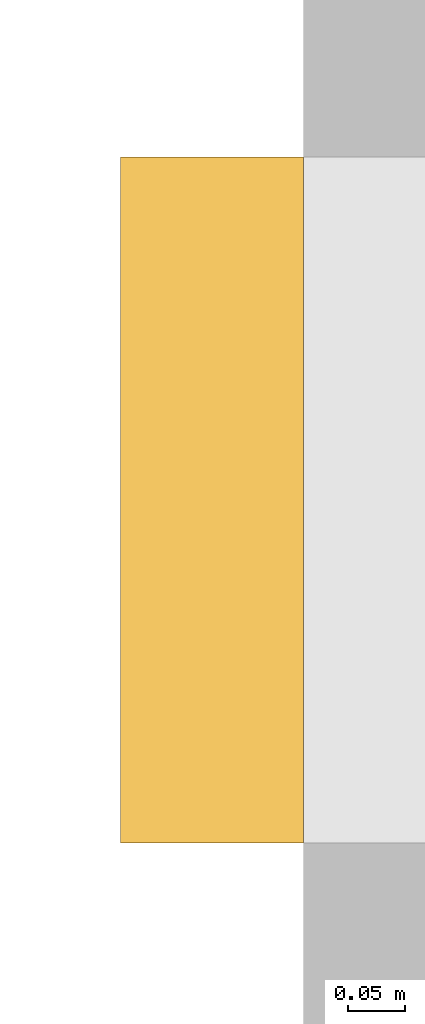
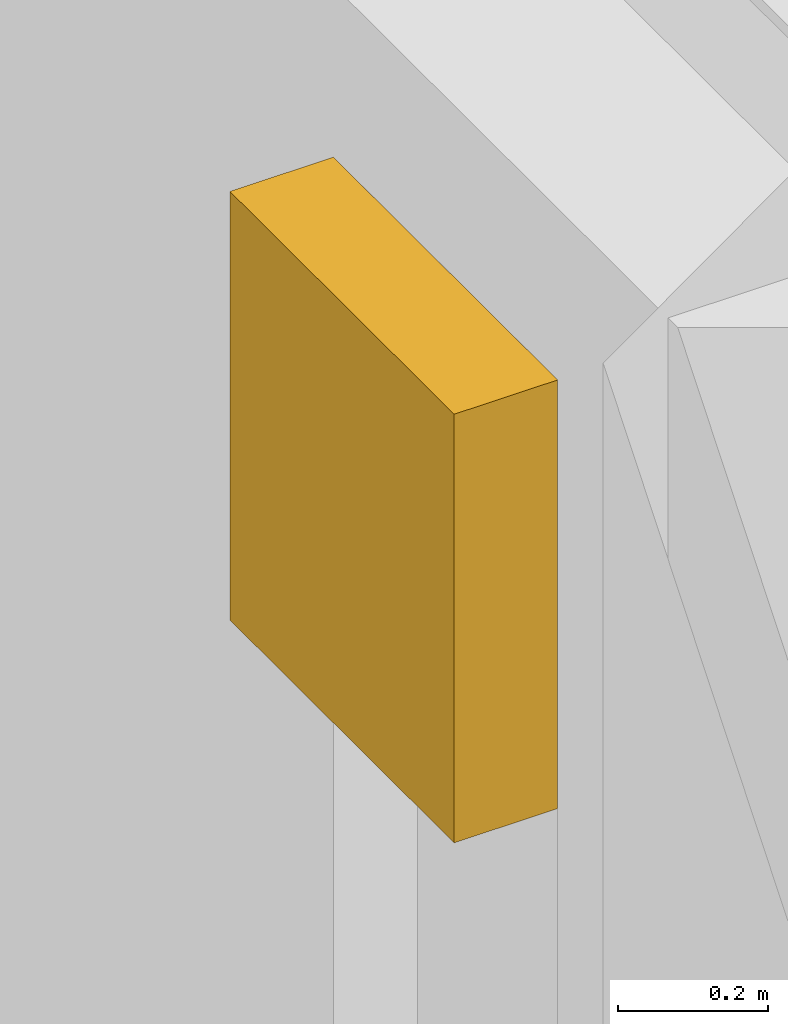
# One storey, part 12 of 12: 1 shading device.
"""IFC4 building model written with IfcOpenShell, lengths in metres."""

import ifcopenshell
import ifcopenshell.guid

model = None  # the IFC model being written
_history = None  # IfcOwnerHistory: only IFC2X3 demands one
_inside = {}  # id of a spatial element -> (the spatial element, [elements in it])
_under = {}  # id of a project, library or spatial element -> (it, [spatial elements below it])
_declared = {}  # id of a project -> (the project, [libraries it declares])
_typed = {}  # id of a type object -> (the type object, [elements of that type])
_made_of = {}  # id of a material, layer set ... -> (it, [elements and type objects made of it])


def new_model(schema):
    """Start an empty IFC model of exactly this schema.

    Asked for "IFC4X3", IfcOpenShell would pick the latest addendum, in which some entities
    have other attributes; the version numbers below select the first issue.
    IFC2X3 requires an IfcOwnerHistory on every rooted entity: one is made here for all.
    """
    global model, _history
    if schema == "IFC4X3":
        model = ifcopenshell.file(schema_version=(4, 3, 0, 0))
    else:
        model = ifcopenshell.file(schema=schema)
    _inside.clear()
    _under.clear()
    _declared.clear()
    _typed.clear()
    _made_of.clear()
    _history = None
    if model.schema == "IFC2X3":
        org = make("IfcOrganization", Name="unknown")
        user = make(
            "IfcPersonAndOrganization",
            ThePerson=make("IfcPerson", FamilyName="unknown"),
            TheOrganization=org,
        )
        app = make(
            "IfcApplication",
            ApplicationDeveloper=org,
            Version="unknown",
            ApplicationFullName="unknown",
            ApplicationIdentifier="unknown",
        )
        _history = make(
            "IfcOwnerHistory",
            OwningUser=user,
            OwningApplication=app,
            ChangeAction="ADDED",
            CreationDate=0,
        )
    return model


def make(cls, **values):
    """One entity of the class cls with the attributes given. An attribute that is None is left unset."""
    return model.create_entity(
        cls, **{name: value for name, value in values.items() if value is not None}
    )


def rooted(cls, **values):
    """An entity with a GlobalId (a new one), such as an element, a storey or a relation."""
    return make(cls, GlobalId=ifcopenshell.guid.new(), OwnerHistory=_history, **values)


def si_unit(unit_type, name, prefix=None):
    """IfcSIUnit, for example si_unit("LENGTHUNIT", "METRE", prefix="MILLI")."""
    return make("IfcSIUnit", UnitType=unit_type, Prefix=prefix, Name=name)


def assignment(units):
    """IfcUnitAssignment: the units of a project."""
    return None if units is None else make("IfcUnitAssignment", Units=units)


def point(xyz):
    """IfcCartesianPoint."""
    return None if xyz is None else make("IfcCartesianPoint", Coordinates=xyz)


def direction(xyz):
    """IfcDirection."""
    return None if xyz is None else make("IfcDirection", DirectionRatios=xyz)


def frame(location, z_axis=None, x_axis=None):
    """IfcAxis2Placement3D, a coordinate frame: its origin and axes. An axis left out is left unset."""
    return make(
        "IfcAxis2Placement3D",
        Location=point(location),
        Axis=direction(z_axis),
        RefDirection=direction(x_axis),
    )


def frame_2d(location, x_axis=None):
    """IfcAxis2Placement2D, a coordinate frame in the plane: its origin and x axis."""
    return make(
        "IfcAxis2Placement2D", Location=point(location), RefDirection=direction(x_axis)
    )


def origin():
    """The frame at (0, 0, 0) with its axes left unset."""
    return frame((0.0, 0.0, 0.0))


def origin_2d():
    """The frame at (0, 0) in the plane with its x axis left unset."""
    return frame_2d((0.0, 0.0))


def place(relative_to, where):
    """IfcLocalPlacement: puts the frame where relative to a parent placement (None: the world)."""
    return make(
        "IfcLocalPlacement", PlacementRelTo=relative_to, RelativePlacement=where
    )


def context(
    kind, dimensions, precision=None, world=None, true_north=None, identifier=None
):
    """IfcGeometricRepresentationContext, for example the 3D "Model" context."""
    return make(
        "IfcGeometricRepresentationContext",
        ContextIdentifier=identifier,
        ContextType=kind,
        CoordinateSpaceDimension=dimensions,
        Precision=precision,
        WorldCoordinateSystem=world,
        TrueNorth=true_north,
    )


def subcontext(parent, identifier, kind, view, scale=None):
    """IfcGeometricRepresentationSubContext, for example "Body" below "Model"."""
    return make(
        "IfcGeometricRepresentationSubContext",
        ContextIdentifier=identifier,
        ContextType=kind,
        ParentContext=parent,
        TargetScale=scale,
        TargetView=view,
    )


def project(units=None, contexts=None):
    """IfcProject with its units and contexts."""
    return rooted(
        "IfcProject",
        Name="project",
        RepresentationContexts=contexts,
        UnitsInContext=assignment(units),
    )


def spatial(cls, under=None, at=None, **own):
    """A site, building, storey or space (cls), placed at a placement, below another one or the project."""
    s = rooted(cls, ObjectPlacement=at, **own)
    if under is not None:
        _under.setdefault(under.id(), (under, []))[1].append(s)
    return s


def profile(cls, at=None, kind="AREA", **sizes):
    """A parametric profile (cls). Its sizes go by their IFC names, for example OverallWidth=200.0."""
    return make(cls, ProfileType=kind, Position=at, **sizes)


def rectangle(**sizes):
    """IfcRectangleProfileDef."""
    return profile("IfcRectangleProfileDef", **sizes)


def extrude(swept, where, along, depth):
    """IfcExtrudedAreaSolid: the profile swept, set in the frame where, extruded along a direction by depth."""
    return make(
        "IfcExtrudedAreaSolid",
        SweptArea=swept,
        Position=where,
        ExtrudedDirection=direction(along),
        Depth=depth,
    )


def shape(context_of_items, identifier, shape_type, items):
    """IfcShapeRepresentation: the items that make up one representation, for example the "Body"."""
    return make(
        "IfcShapeRepresentation",
        ContextOfItems=context_of_items,
        RepresentationIdentifier=identifier,
        RepresentationType=shape_type,
        Items=items,
    )


def material(Name=None, Category=None):
    """IfcMaterial."""
    return make("IfcMaterial", Name=Name, Category=Category)


def made_of(thing, what):
    """Note that an element or type object is made of a material, layer set ...; save() writes the relation."""
    if what is not None:
        _made_of.setdefault(what.id(), (what, []))[1].append(thing)
    return thing


def type_object(cls, material=None, **own):
    """A type object (cls), such as IfcWallType, which elements share."""
    return made_of(rooted(cls, **own), material)


def element(
    cls,
    number,
    at=None,
    inside=None,
    cuts=None,
    type_object=None,
    material=None,
    context=None,
    identifier="Body",
    shape_type=None,
    held_by="IfcProductDefinitionShape",
    body=None,
    shapes=None,
    **own,
):
    """One element of the class cls, such as IfcWall. Its Tag is "e" and its number.

    at: its placement. inside: the storey or other place that contains it. cuts: it is an
    opening in that element (IfcRelVoidsElement). A single representation is given by context,
    identifier, shape_type and body (its items); several are given by shapes. held_by: the class
    of the entity that holds the representations. save() writes the other relations.
    """
    e = rooted(cls, Tag="e%d" % number, ObjectPlacement=at, **own)
    if body is not None:
        shapes = [shape(context, identifier, shape_type, body)]
    if shapes is not None:
        e.Representation = make(held_by, Representations=shapes)
    if inside is not None:
        _inside.setdefault(inside.id(), (inside, []))[1].append(e)
    if cuts is not None:
        rooted(
            "IfcRelVoidsElement", RelatingBuildingElement=cuts, RelatedOpeningElement=e
        )
    if type_object is not None:
        _typed.setdefault(type_object.id(), (type_object, []))[1].append(e)
    return made_of(e, material)


def aggregate(whole, parts):
    """IfcRelAggregates: a whole, such as a stair, and the parts it consists of."""
    return rooted("IfcRelAggregates", RelatingObject=whole, RelatedObjects=parts)


def save(model, path):
    """Write the relations noted so far, then the file.

    IfcRelAggregates (storeys below a building ...), IfcRelContainedInSpatialStructure (elements
    in a storey), IfcRelDefinesByType, IfcRelAssociatesMaterial and IfcRelDeclares: one each for
    every whole, place, type object, material and project.
    """
    for whole, parts in _under.values():
        aggregate(whole, parts)
    for where, things in _inside.values():
        rooted(
            "IfcRelContainedInSpatialStructure",
            RelatedElements=things,
            RelatingStructure=where,
        )
    for kind, things in _typed.values():
        rooted("IfcRelDefinesByType", RelatedObjects=things, RelatingType=kind)
    for what, things in _made_of.values():
        rooted("IfcRelAssociatesMaterial", RelatedObjects=things, RelatingMaterial=what)
    for by, libraries in _declared.values():
        rooted("IfcRelDeclares", RelatingContext=by, RelatedDefinitions=libraries)
    model.write(path)


model = new_model("IFC4")

# Units and contexts
model_context = context("Model", 3, precision=1e-05, world=origin(), true_north=direction((0.0, 1.0)))
body_context = subcontext(model_context, "Body", "Model", "MODEL_VIEW")
ifc_project = project(units=[si_unit("LENGTHUNIT", "METRE"), si_unit("AREAUNIT", "SQUARE_METRE"), si_unit("VOLUMEUNIT", "CUBIC_METRE"), si_unit("PLANEANGLEUNIT", "RADIAN"), si_unit("MASSUNIT", "GRAM", prefix="KILO")], contexts=[model_context])

# Site, building, storey
site_placement = place(None, origin())
site = spatial("IfcSite", under=ifc_project, at=site_placement, CompositionType="ELEMENT")
building_placement = place(site_placement, origin())
building = spatial("IfcBuilding", under=site, at=building_placement, Name="Orvandelia Arch Residences", CompositionType="ELEMENT")
storey_placement = place(building_placement, frame((0.0, 0.0, 35.800048828125)))
storey = spatial("IfcBuildingStorey", under=building, at=storey_placement, Name="L08", CompositionType="ELEMENT", Elevation=35.800048828125)

# Shading device
ifc_material = material(Name="Anodised Champagne-Bronze Extruded Aluminium", Category="aluminium")
shading_device_type = type_object("IfcShadingDeviceType", Name="SHD-JALOUSIE-SCREEN", PredefinedType="JALOUSIE", material=ifc_material)
shading_device_placement = place(storey_placement, frame((4.719970703125, 25.14501953125, 1.5498046875), z_axis=(0.0, 0.0, 1.0), x_axis=(0.0, 1.0, 0.0)))
element("IfcShadingDevice", 1, at=shading_device_placement, inside=storey, type_object=shading_device_type, Name="Bronze Jalousie Sun-Shade L08-011", PredefinedType="JALOUSIE", context=body_context, shape_type="SweptSolid", body=[
    extrude(rectangle(XDim=0.60009765625, YDim=0.159912109375, at=origin_2d()), origin(), (0.0, 0.0, 1.0), 0.699951171875),
])

save(model, "model.ifc")
